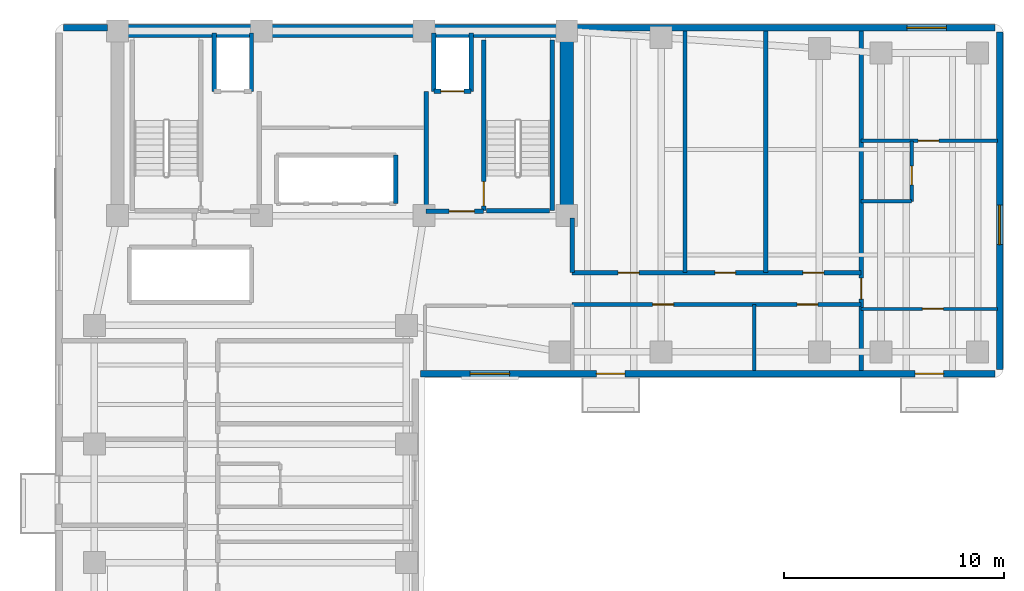
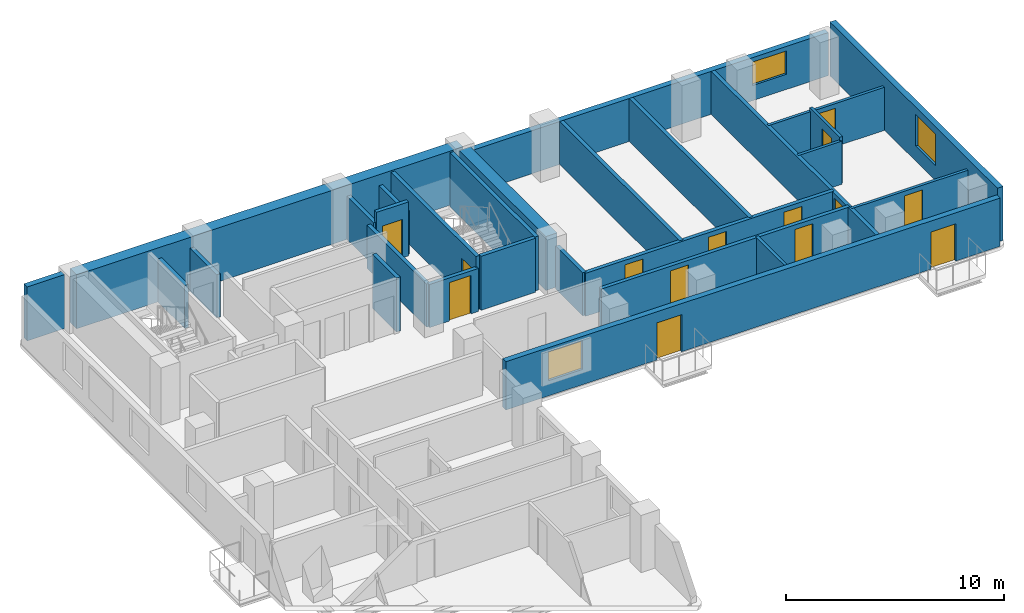
# One storey, part 4 of 7: 28 walls, 14 doors, 3 windows, 17 openings.
"""IFC4 building model written with IfcOpenShell, lengths in metres."""

from ifc_helpers import new_model, si_unit, direction, frame, frame_2d, origin, place, context, subcontext, project, spatial, rectangle, extrude, material, layer, layer_set, type_object, element, fill, save


model = new_model("IFC4")

# Units and contexts
model_context = context("Model", 3, precision=1e-05, world=origin(), true_north=direction((0.0, 1.0)))
body_context = subcontext(model_context, "Body", "Model", "MODEL_VIEW")
ifc_project = project(units=[si_unit("LENGTHUNIT", "METRE"), si_unit("AREAUNIT", "SQUARE_METRE"), si_unit("VOLUMEUNIT", "CUBIC_METRE"), si_unit("PLANEANGLEUNIT", "RADIAN"), si_unit("MASSUNIT", "GRAM", prefix="KILO")], contexts=[model_context])

# Site, building, storey
site_placement = place(None, origin())
site = spatial("IfcSite", under=ifc_project, at=site_placement, CompositionType="ELEMENT")
building_placement = place(site_placement, origin())
building = spatial("IfcBuilding", under=site, at=building_placement, Name="Kuzgunbayir Cultural Tower", CompositionType="ELEMENT")
storey_placement = place(building_placement, frame((0.0, 0.0, 117.0)))
storey = spatial("IfcBuildingStorey", under=building, at=storey_placement, Name="L33", CompositionType="ELEMENT", Elevation=117.0)

# Walls
ifc_material_1 = material(Name="Concrete C60/75", Category="concrete")
ifc_layer_1 = layer(ifc_material_1, 0.60009765625)
ifc_layer_set_1 = layer_set([ifc_layer_1], Name="Concrete C60/75")
wall_type_1 = type_object("IfcWallType", Name="WAL-CORE-600", PredefinedType="SHEAR", material=ifc_layer_set_1)
wall_1_placement = place(storey_placement, frame((6.449951171875, 42.199951171875, 0.0), z_axis=(0.0, 0.0, 1.0), x_axis=(1.0, 0.0, 0.0)))
element("IfcWall", 1, at=wall_1_placement, inside=storey, type_object=wall_type_1, Name="L33 T1 Core North Shear Wall", PredefinedType="SHEAR", context=body_context, shape_type="SweptSolid", body=[
    extrude(rectangle(XDim=20.449951171875, YDim=0.60009765625, at=frame_2d((10.22509765625, 0.0))), origin(), (0.0, 0.0, 1.0), 3.02001953125),
])
wall_2_placement = place(storey_placement, frame((26.89990234375, 33.800048828125, 0.0), z_axis=(0.0, 0.0, 1.0), x_axis=(0.0, 1.0, 0.0)))
element("IfcWall", 2, at=wall_2_placement, inside=storey, type_object=wall_type_1, Name="L33 T1 Core East Shear Wall", PredefinedType="SHEAR", context=body_context, shape_type="SweptSolid", body=[
    extrude(rectangle(XDim=7.949951171875, YDim=0.60009765625, at=frame_2d((3.97509765625, 0.0))), origin(), (0.0, 0.0, 1.0), 3.02001953125),
])

# Wall, opening, window
ifc_material_2 = material(Name="Anatolian Cream Limestone", Category="masonry")
ifc_layer_2 = layer(ifc_material_2, 0.300048828125)
ifc_layer_set_2 = layer_set([ifc_layer_2], Name="Anatolian Cream Limestone")
wall_type_2 = type_object("IfcWallType", Name="WAL-EXT-STONE-300", PredefinedType="STANDARD", material=ifc_layer_set_2)
wall_3_placement = place(storey_placement, frame((46.39990234375, 42.35009765625, 0.0), z_axis=(0.0, 0.0, 1.0), x_axis=(-1.0, 0.0, 0.0)))
wall_3 = element("IfcWall", 3, at=wall_3_placement, inside=storey, type_object=wall_type_2, Name="L33 North Wing B Limestone Wall", PredefinedType="STANDARD", context=body_context, shape_type="SweptSolid", body=[
    extrude(rectangle(XDim=19.0498046875, YDim=0.300048828125, at=frame_2d((9.52490234375, 0.0))), origin(), (0.0, 0.0, 1.0), 2.409912109375),
])
opening_1_placement = place(wall_3_placement, frame((2.219970703125, 0.0, 0.85009765625)))
opening_1 = element("IfcOpeningElement", 4, at=opening_1_placement, cuts=wall_3, Name="Opening WH-18", PredefinedType="OPENING", context=body_context, shape_type="SweptSolid", body=[
    extrude(rectangle(XDim=1.800048828125, YDim=1.31005859375, at=frame_2d((0.89990234375, 0.655029296875))), frame((0.0, 0.16015625, 0.0), z_axis=(0.0, -1.0, 0.0), x_axis=(1.0, 0.0, 0.0)), (0.0, 0.0, 1.0), 0.320068359375),
])
ifc_material_3 = material(Name="Solar-Control Triple Glazing", Category="glass")
window_type = type_object("IfcWindowType", Name="WIN-HOTEL-18", PartitioningType="SINGLE_PANEL", PredefinedType="WINDOW", material=ifc_material_3)
window_1_placement = place(opening_1_placement, origin())
window_1 = element("IfcWindow", 5, at=window_1_placement, inside=storey, type_object=window_type, Name="L33 CRN Facade Window 5", OverallHeight=1.31005859375, OverallWidth=1.800048828125, PartitioningType="SINGLE_PANEL", PredefinedType="WINDOW", context=body_context, shape_type="SweptSolid", body=[
    extrude(rectangle(XDim=1.800048828125, YDim=1.31005859375, at=frame_2d((0.89990234375, 0.655029296875))), frame((0.0, 0.030029296875, 0.0), z_axis=(0.0, -1.0, 0.0), x_axis=(1.0, 0.0, 0.0)), (0.0, 0.0, 1.0), 0.06005859375),
])
fill(opening_1, window_1)

# Wall
wall_4_placement = place(storey_placement, frame((6.0, 42.35009765625, 0.0), z_axis=(0.0, 0.0, 1.0), x_axis=(-1.0, 0.0, 0.0)))
element("IfcWall", 6, at=wall_4_placement, inside=storey, type_object=wall_type_2, Name="L33 Core North-West Spandrel Link", PredefinedType="STANDARD", context=body_context, shape_type="SweptSolid", body=[
    extrude(rectangle(XDim=2.0, YDim=0.300048828125, at=frame_2d((1.0, 0.0))), origin(), (0.0, 0.0, 1.0), 3.02001953125),
])

# Wall, openings, doors, window
wall_5_placement = place(storey_placement, frame((20.25, 26.60009765625, 0.0), z_axis=(0.0, 0.0, 1.0), x_axis=(1.0, 0.0, 0.0)))
wall_5 = element("IfcWall", 7, at=wall_5_placement, inside=storey, type_object=wall_type_2, Name="L33 Wing B South Limestone Wall", PredefinedType="STANDARD", context=body_context, shape_type="SweptSolid", body=[
    extrude(rectangle(XDim=26.14990234375, YDim=0.300048828125, at=frame_2d((13.074951171875, 0.0))), origin(), (0.0, 0.0, 1.0), 2.699951171875),
])
opening_2_placement = place(wall_5_placement, frame((8.0, 0.0, 0.0)))
opening_2 = element("IfcOpeningElement", 8, at=opening_2_placement, cuts=wall_5, Name="Opening BD-13", PredefinedType="OPENING", context=body_context, shape_type="SweptSolid", body=[
    extrude(rectangle(XDim=1.300048828125, YDim=2.080078125, at=frame_2d((0.64990234375, 1.0400390625))), frame((0.0, 0.16015625, 0.0), z_axis=(0.0, -1.0, 0.0), x_axis=(1.0, 0.0, 0.0)), (0.0, 0.0, 1.0), 0.320068359375),
])
opening_3_placement = place(wall_5_placement, frame((22.5, 0.0, 0.0)))
opening_3 = element("IfcOpeningElement", 9, at=opening_3_placement, cuts=wall_5, Name="Opening BD-13", PredefinedType="OPENING", context=body_context, shape_type="SweptSolid", body=[
    extrude(rectangle(XDim=1.300048828125, YDim=2.080078125, at=frame_2d((0.64990234375, 1.0400390625))), frame((0.0, 0.16015625, 0.0), z_axis=(0.0, -1.0, 0.0), x_axis=(1.0, 0.0, 0.0)), (0.0, 0.0, 1.0), 0.320068359375),
])
opening_4_placement = place(wall_5_placement, frame((2.25, 0.0, 0.85009765625)))
opening_4 = element("IfcOpeningElement", 10, at=opening_4_placement, cuts=wall_5, Name="Opening WH-18", PredefinedType="OPENING", context=body_context, shape_type="SweptSolid", body=[
    extrude(rectangle(XDim=1.800048828125, YDim=1.60009765625, at=frame_2d((0.89990234375, 0.800048828125))), frame((0.0, 0.16015625, 0.0), z_axis=(0.0, -1.0, 0.0), x_axis=(1.0, 0.0, 0.0)), (0.0, 0.0, 1.0), 0.320068359375),
])
ifc_material_4 = material(Name="Thermally Broken Glazed Aluminium", Category="aluminium")
door_type_1 = type_object("IfcDoorType", Name="DR-BALCONY-135", OperationType="SLIDING_TO_LEFT", PredefinedType="DOOR", material=ifc_material_4)
door_1_placement = place(opening_2_placement, origin())
door_1 = element("IfcDoor", 11, at=door_1_placement, inside=storey, type_object=door_type_1, Name="L33 South Balcony Sliding Door BAL-L33-WB1", OperationType="SLIDING_TO_LEFT", OverallHeight=2.080078125, OverallWidth=1.300048828125, PredefinedType="DOOR", context=body_context, shape_type="SweptSolid", body=[
    extrude(rectangle(XDim=1.300048828125, YDim=2.080078125, at=frame_2d((0.64990234375, 1.0400390625))), frame((0.0, 0.02490234375, 0.0), z_axis=(0.0, -1.0, 0.0), x_axis=(1.0, 0.0, 0.0)), (0.0, 0.0, 1.0), 0.050048828125),
])
fill(opening_2, door_1)
door_2_placement = place(opening_3_placement, origin())
door_2 = element("IfcDoor", 12, at=door_2_placement, inside=storey, type_object=door_type_1, Name="L33 South Balcony Sliding Door BAL-L33-WB3", OperationType="SLIDING_TO_LEFT", OverallHeight=2.080078125, OverallWidth=1.300048828125, PredefinedType="DOOR", context=body_context, shape_type="SweptSolid", body=[
    extrude(rectangle(XDim=1.300048828125, YDim=2.080078125, at=frame_2d((0.64990234375, 1.0400390625))), frame((0.0, 0.02490234375, 0.0), z_axis=(0.0, -1.0, 0.0), x_axis=(1.0, 0.0, 0.0)), (0.0, 0.0, 1.0), 0.050048828125),
])
fill(opening_3, door_2)
window_2_placement = place(opening_4_placement, origin())
window_2 = element("IfcWindow", 13, at=window_2_placement, inside=storey, type_object=window_type, Name="L33 WBS Facade Window 12", OverallHeight=1.60009765625, OverallWidth=1.800048828125, PartitioningType="SINGLE_PANEL", PredefinedType="WINDOW", context=body_context, shape_type="SweptSolid", body=[
    extrude(rectangle(XDim=1.800048828125, YDim=1.60009765625, at=frame_2d((0.89990234375, 0.800048828125))), frame((0.0, 0.030029296875, 0.0), z_axis=(0.0, -1.0, 0.0), x_axis=(1.0, 0.0, 0.0)), (0.0, 0.0, 1.0), 0.06005859375),
])
fill(opening_4, window_2)

# Wall, opening, window
wall_6_placement = place(storey_placement, frame((46.60009765625, 26.800048828125, 0.0), z_axis=(0.0, 0.0, 1.0), x_axis=(0.0, 1.0, 0.0)))
wall_6 = element("IfcWall", 14, at=wall_6_placement, inside=storey, type_object=wall_type_2, Name="L33 Wing B East Limestone Wall", PredefinedType="STANDARD", context=body_context, shape_type="SweptSolid", body=[
    extrude(rectangle(XDim=15.349853515625, YDim=0.300048828125, at=frame_2d((7.6748046875, 0.0))), origin(), (0.0, 0.0, 1.0), 3.02001953125),
])
opening_5_placement = place(wall_6_placement, frame((5.679931640625, 0.0, 0.85009765625)))
opening_5 = element("IfcOpeningElement", 15, at=opening_5_placement, cuts=wall_6, Name="Opening WH-18", PredefinedType="OPENING", context=body_context, shape_type="SweptSolid", body=[
    extrude(rectangle(XDim=1.800048828125, YDim=1.75, at=frame_2d((0.89990234375, 0.875))), frame((0.0, 0.16015625, 0.0), z_axis=(0.0, -1.0, 0.0), x_axis=(1.0, 0.0, 0.0)), (0.0, 0.0, 1.0), 0.320068359375),
])
window_3_placement = place(opening_5_placement, origin())
window_3 = element("IfcWindow", 16, at=window_3_placement, inside=storey, type_object=window_type, Name="L33 WBE Facade Window 4", OverallHeight=1.75, OverallWidth=1.800048828125, PartitioningType="SINGLE_PANEL", PredefinedType="WINDOW", context=body_context, shape_type="SweptSolid", body=[
    extrude(rectangle(XDim=1.800048828125, YDim=1.75, at=frame_2d((0.89990234375, 0.875))), frame((0.0, 0.030029296875, 0.0), z_axis=(0.0, -1.0, 0.0), x_axis=(1.0, 0.0, 0.0)), (0.0, 0.0, 1.0), 0.06005859375),
])
fill(opening_5, window_3)

# Wall, opening, door
ifc_material_5 = material(Name="Acoustic Double-Stud Drywall", Category="gypsum")
ifc_layer_3 = layer(ifc_material_5, 0.14990234375)
ifc_layer_set_3 = layer_set([ifc_layer_3], Name="Acoustic Double-Stud Drywall")
wall_type_3 = type_object("IfcWallType", Name="WAL-PART-ACOUSTIC-150", PredefinedType="PARTITIONING", material=ifc_layer_set_3)
wall_7_placement = place(storey_placement, frame((40.300048828125, 37.199951171875, 0.0), z_axis=(0.0, 0.0, 1.0), x_axis=(1.0, 0.0, 0.0)))
wall_7 = element("IfcWall", 17, at=wall_7_placement, inside=storey, type_object=wall_type_3, Name="L33 Corner Suite Bedroom Wall", PredefinedType="PARTITIONING", context=body_context, shape_type="SweptSolid", body=[
    extrude(rectangle(XDim=6.199951171875, YDim=0.14990234375, at=frame_2d((3.10009765625, 0.0))), origin(), (0.0, 0.0, 1.0), 2.409912109375),
])
opening_6_placement = place(wall_7_placement, frame((2.590087890625, 0.0, 0.0)))
opening_6 = element("IfcOpeningElement", 18, at=opening_6_placement, cuts=wall_7, Name="Opening DI-90", PredefinedType="OPENING", context=body_context, shape_type="SweptSolid", body=[
    extrude(rectangle(XDim=0.949951171875, YDim=2.14990234375, at=frame_2d((0.47509765625, 1.074951171875))), frame((0.0, 0.0849609375, 0.0), z_axis=(0.0, -1.0, 0.0), x_axis=(1.0, 0.0, 0.0)), (0.0, 0.0, 1.0), 0.169921875),
])
ifc_material_6 = material(Name="Veneered Oak Single Leaf", Category="wood")
door_type_2 = type_object("IfcDoorType", Name="DR-INT-90", OperationType="NOTDEFINED", PredefinedType="DOOR", material=ifc_material_6)
door_3_placement = place(opening_6_placement, origin())
door_3 = element("IfcDoor", 19, at=door_3_placement, inside=storey, type_object=door_type_2, Name="L33 Corner Bedroom Door", OperationType="SINGLE_SWING_RIGHT", OverallHeight=2.14990234375, OverallWidth=0.949951171875, PredefinedType="DOOR", context=body_context, shape_type="SweptSolid", body=[
    extrude(rectangle(XDim=0.949951171875, YDim=2.14990234375, at=frame_2d((0.47509765625, 1.074951171875))), frame((0.0, 0.02490234375, 0.0), z_axis=(0.0, -1.0, 0.0), x_axis=(1.0, 0.0, 0.0)), (0.0, 0.0, 1.0), 0.050048828125),
])
fill(opening_6, door_3)

# Walls
wall_8_placement = place(storey_placement, frame((35.429931640625, 26.75, 0.0), z_axis=(0.0, 0.0, 1.0), x_axis=(0.0, 1.0, 0.0)))
element("IfcWall", 20, at=wall_8_placement, inside=storey, type_object=wall_type_3, Name="L33 Wing B South Divider 1", PredefinedType="PARTITIONING", context=body_context, shape_type="SweptSolid", body=[
    extrude(rectangle(XDim=3.0, YDim=0.14990234375, at=frame_2d((1.5, 0.0))), origin(), (0.0, 0.0, 1.0), 2.409912109375),
])
ifc_material_7 = material(Name="Aerated Concrete Blockwork", Category="masonry")
ifc_layer_4 = layer(ifc_material_7, 0.199951171875)
ifc_layer_set_4 = layer_set([ifc_layer_4], Name="Aerated Concrete Blockwork")
wall_type_4 = type_object("IfcWallType", Name="WAL-PART-FIRE-200", PredefinedType="PARTITIONING", material=ifc_layer_set_4)
wall_9_placement = place(storey_placement, frame((20.5, 34.0, 0.0), z_axis=(0.0, 0.0, 1.0), x_axis=(0.0, 1.0, 0.0)))
element("IfcWall", 21, at=wall_9_placement, inside=storey, type_object=wall_type_4, Name="L33 FFL-2 Lobby West Fire Wall", PredefinedType="PARTITIONING", context=body_context, shape_type="SweptSolid", body=[
    extrude(rectangle(XDim=5.449951171875, YDim=0.199951171875, at=frame_2d((2.72509765625, 0.0))), origin(), (0.0, 0.0, 1.0), 2.409912109375),
])

# Wall, opening, door
wall_10_placement = place(storey_placement, frame((20.5, 34.0, 0.0), z_axis=(0.0, 0.0, 1.0), x_axis=(1.0, 0.0, 0.0)))
wall_10 = element("IfcWall", 22, at=wall_10_placement, inside=storey, type_object=wall_type_4, Name="L33 FFL-2 Lobby South Fire Wall", PredefinedType="PARTITIONING", context=body_context, shape_type="SweptSolid", body=[
    extrude(rectangle(XDim=2.60009765625, YDim=0.199951171875, at=frame_2d((1.300048828125, 0.0))), origin(), (0.0, 0.0, 1.0), 2.409912109375),
])
opening_7_placement = place(wall_10_placement, frame((1.050048828125, 0.0, 0.0)))
opening_7 = element("IfcOpeningElement", 23, at=opening_7_placement, cuts=wall_10, Name="Opening DR-FFL-90", PredefinedType="OPENING", context=body_context, shape_type="SweptSolid", body=[
    extrude(rectangle(XDim=1.14990234375, YDim=2.14990234375, at=frame_2d((0.574951171875, 1.074951171875))), frame((0.0, 0.10986328125, 0.0), z_axis=(0.0, -1.0, 0.0), x_axis=(1.0, 0.0, 0.0)), (0.0, 0.0, 1.0), 0.219970703125),
])
ifc_material_8 = material(Name="Steel S355J2", Category="steel")
door_type_3 = type_object("IfcDoorType", Name="DR-FFL-90", OperationType="NOTDEFINED", PredefinedType="DOOR", material=ifc_material_8)
door_4_placement = place(opening_7_placement, origin())
door_4 = element("IfcDoor", 24, at=door_4_placement, inside=storey, type_object=door_type_3, Name="L33 Firefighting Lobby 2 Door", OperationType="SINGLE_SWING_RIGHT", OverallHeight=2.14990234375, OverallWidth=1.14990234375, PredefinedType="DOOR", context=body_context, shape_type="SweptSolid", body=[
    extrude(rectangle(XDim=1.14990234375, YDim=2.14990234375, at=frame_2d((0.574951171875, 1.074951171875))), frame((0.0, 0.02490234375, 0.0), z_axis=(0.0, -1.0, 0.0), x_axis=(1.0, 0.0, 0.0)), (0.0, 0.0, 1.0), 0.050048828125),
])
fill(opening_7, door_4)

# Wall, openings, doors
wall_11_placement = place(storey_placement, frame((27.14990234375, 29.75, 0.0), z_axis=(0.0, 0.0, 1.0), x_axis=(1.0, 0.0, 0.0)))
wall_11 = element("IfcWall", 25, at=wall_11_placement, inside=storey, type_object=wall_type_4, Name="L33 Wing B Hotel Corridor South Wall", PredefinedType="PARTITIONING", context=body_context, shape_type="SweptSolid", body=[
    extrude(rectangle(XDim=13.150146484375, YDim=0.199951171875, at=frame_2d((6.5751953125, 0.0))), origin(), (0.0, 0.0, 1.0), 2.409912109375),
])
opening_8_placement = place(wall_11_placement, frame((3.659912109375, 0.0, 0.0)))
opening_8 = element("IfcOpeningElement", 26, at=opening_8_placement, cuts=wall_11, Name="Opening DI-90", PredefinedType="OPENING", context=body_context, shape_type="SweptSolid", body=[
    extrude(rectangle(XDim=0.949951171875, YDim=2.14990234375, at=frame_2d((0.47509765625, 1.074951171875))), frame((0.0, 0.10986328125, 0.0), z_axis=(0.0, -1.0, 0.0), x_axis=(1.0, 0.0, 0.0)), (0.0, 0.0, 1.0), 0.219970703125),
])
opening_9_placement = place(wall_11_placement, frame((10.22998046875, 0.0, 0.0)))
opening_9 = element("IfcOpeningElement", 27, at=opening_9_placement, cuts=wall_11, Name="Opening DI-90", PredefinedType="OPENING", context=body_context, shape_type="SweptSolid", body=[
    extrude(rectangle(XDim=0.949951171875, YDim=2.14990234375, at=frame_2d((0.47509765625, 1.074951171875))), frame((0.0, 0.10986328125, 0.0), z_axis=(0.0, -1.0, 0.0), x_axis=(1.0, 0.0, 0.0)), (0.0, 0.0, 1.0), 0.219970703125),
])
door_5_placement = place(opening_8_placement, origin())
door_5 = element("IfcDoor", 28, at=door_5_placement, inside=storey, type_object=door_type_2, Name="L33 Art Publication Salon B1 Door", OperationType="SINGLE_SWING_LEFT", OverallHeight=2.14990234375, OverallWidth=0.949951171875, PredefinedType="DOOR", context=body_context, shape_type="SweptSolid", body=[
    extrude(rectangle(XDim=0.949951171875, YDim=2.14990234375, at=frame_2d((0.47509765625, 1.074951171875))), frame((0.0, 0.02490234375, 0.0), z_axis=(0.0, -1.0, 0.0), x_axis=(1.0, 0.0, 0.0)), (0.0, 0.0, 1.0), 0.050048828125),
])
fill(opening_8, door_5)
door_6_placement = place(opening_9_placement, origin())
door_6 = element("IfcDoor", 29, at=door_6_placement, inside=storey, type_object=door_type_2, Name="L33 Art Publication Salon B2 Door", OperationType="SINGLE_SWING_RIGHT", OverallHeight=2.14990234375, OverallWidth=0.949951171875, PredefinedType="DOOR", context=body_context, shape_type="SweptSolid", body=[
    extrude(rectangle(XDim=0.949951171875, YDim=2.14990234375, at=frame_2d((0.47509765625, 1.074951171875))), frame((0.0, 0.02490234375, 0.0), z_axis=(0.0, -1.0, 0.0), x_axis=(1.0, 0.0, 0.0)), (0.0, 0.0, 1.0), 0.050048828125),
])
fill(opening_9, door_6)

wall_12_placement = place(storey_placement, frame((27.14990234375, 31.199951171875, 0.0), z_axis=(0.0, 0.0, 1.0), x_axis=(1.0, 0.0, 0.0)))
wall_12 = element("IfcWall", 30, at=wall_12_placement, inside=storey, type_object=wall_type_4, Name="L33 Wing B Hotel Corridor North Wall", PredefinedType="PARTITIONING", context=body_context, shape_type="SweptSolid", body=[
    extrude(rectangle(XDim=13.150146484375, YDim=0.199951171875, at=frame_2d((6.5751953125, 0.0))), origin(), (0.0, 0.0, 1.0), 2.409912109375),
])
opening_10_placement = place(wall_12_placement, frame((2.090087890625, 0.0, 0.0)))
opening_10 = element("IfcOpeningElement", 31, at=opening_10_placement, cuts=wall_12, Name="Opening DI-90", PredefinedType="OPENING", context=body_context, shape_type="SweptSolid", body=[
    extrude(rectangle(XDim=0.949951171875, YDim=2.14990234375, at=frame_2d((0.47509765625, 1.074951171875))), frame((0.0, 0.10986328125, 0.0), z_axis=(0.0, -1.0, 0.0), x_axis=(1.0, 0.0, 0.0)), (0.0, 0.0, 1.0), 0.219970703125),
])
opening_11_placement = place(wall_12_placement, frame((6.489990234375, 0.0, 0.0)))
opening_11 = element("IfcOpeningElement", 32, at=opening_11_placement, cuts=wall_12, Name="Opening DI-90", PredefinedType="OPENING", context=body_context, shape_type="SweptSolid", body=[
    extrude(rectangle(XDim=0.949951171875, YDim=2.14990234375, at=frame_2d((0.47509765625, 1.074951171875))), frame((0.0, 0.10986328125, 0.0), z_axis=(0.0, -1.0, 0.0), x_axis=(1.0, 0.0, 0.0)), (0.0, 0.0, 1.0), 0.219970703125),
])
opening_12_placement = place(wall_12_placement, frame((10.5, 0.0, 0.0)))
opening_12 = element("IfcOpeningElement", 33, at=opening_12_placement, cuts=wall_12, Name="Opening DI-90", PredefinedType="OPENING", context=body_context, shape_type="SweptSolid", body=[
    extrude(rectangle(XDim=0.949951171875, YDim=2.14990234375, at=frame_2d((0.47509765625, 1.074951171875))), frame((0.0, 0.10986328125, 0.0), z_axis=(0.0, -1.0, 0.0), x_axis=(1.0, 0.0, 0.0)), (0.0, 0.0, 1.0), 0.219970703125),
])
door_7_placement = place(opening_10_placement, origin())
door_7 = element("IfcDoor", 34, at=door_7_placement, inside=storey, type_object=door_type_2, Name="L33 North Art Publication Salon 1 Door", OperationType="SINGLE_SWING_LEFT", OverallHeight=2.14990234375, OverallWidth=0.949951171875, PredefinedType="DOOR", context=body_context, shape_type="SweptSolid", body=[
    extrude(rectangle(XDim=0.949951171875, YDim=2.14990234375, at=frame_2d((0.47509765625, 1.074951171875))), frame((0.0, 0.02490234375, 0.0), z_axis=(0.0, -1.0, 0.0), x_axis=(1.0, 0.0, 0.0)), (0.0, 0.0, 1.0), 0.050048828125),
])
fill(opening_10, door_7)
door_8_placement = place(opening_11_placement, origin())
door_8 = element("IfcDoor", 35, at=door_8_placement, inside=storey, type_object=door_type_2, Name="L33 North Curatorial Office 2 Door", OperationType="SINGLE_SWING_RIGHT", OverallHeight=2.14990234375, OverallWidth=0.949951171875, PredefinedType="DOOR", context=body_context, shape_type="SweptSolid", body=[
    extrude(rectangle(XDim=0.949951171875, YDim=2.14990234375, at=frame_2d((0.47509765625, 1.074951171875))), frame((0.0, 0.02490234375, 0.0), z_axis=(0.0, -1.0, 0.0), x_axis=(1.0, 0.0, 0.0)), (0.0, 0.0, 1.0), 0.050048828125),
])
fill(opening_11, door_8)
door_9_placement = place(opening_12_placement, origin())
door_9 = element("IfcDoor", 36, at=door_9_placement, inside=storey, type_object=door_type_2, Name="L33 North Seminar Boardroom 3 Door", OperationType="SINGLE_SWING_LEFT", OverallHeight=2.14990234375, OverallWidth=0.949951171875, PredefinedType="DOOR", context=body_context, shape_type="SweptSolid", body=[
    extrude(rectangle(XDim=0.949951171875, YDim=2.14990234375, at=frame_2d((0.47509765625, 1.074951171875))), frame((0.0, 0.02490234375, 0.0), z_axis=(0.0, -1.0, 0.0), x_axis=(1.0, 0.0, 0.0)), (0.0, 0.0, 1.0), 0.050048828125),
])
fill(opening_12, door_9)

# Wall
wall_13_placement = place(storey_placement, frame((27.14990234375, 31.199951171875, 0.0), z_axis=(0.0, 0.0, 1.0), x_axis=(0.0, 1.0, 0.0)))
element("IfcWall", 37, at=wall_13_placement, inside=storey, type_object=wall_type_4, Name="L33 Wing B North Core Closure Wall", PredefinedType="PARTITIONING", context=body_context, shape_type="SweptSolid", body=[
    extrude(rectangle(XDim=2.47998046875, YDim=0.199951171875, at=frame_2d((1.239990234375, 0.0))), origin(), (0.0, 0.0, 1.0), 2.409912109375),
])

# Wall, opening, door
wall_14_placement = place(storey_placement, frame((40.300048828125, 26.75, 0.0), z_axis=(0.0, 0.0, 1.0), x_axis=(0.0, 1.0, 0.0)))
wall_14 = element("IfcWall", 38, at=wall_14_placement, inside=storey, type_object=wall_type_4, Name="L33 Wing B East Suite Wall", PredefinedType="PARTITIONING", context=body_context, shape_type="SweptSolid", body=[
    extrude(rectangle(XDim=15.449951171875, YDim=0.199951171875, at=frame_2d((7.72509765625, 0.0))), origin(), (0.0, 0.0, 1.0), 2.409912109375),
])
opening_13_placement = place(wall_14_placement, frame((3.25, 0.0, 0.0)))
opening_13 = element("IfcOpeningElement", 39, at=opening_13_placement, cuts=wall_14, Name="Opening DR-APT-60", PredefinedType="OPENING", context=body_context, shape_type="SweptSolid", body=[
    extrude(rectangle(XDim=0.949951171875, YDim=2.14990234375, at=frame_2d((0.47509765625, 1.074951171875))), frame((0.0, 0.10986328125, 0.0), z_axis=(0.0, -1.0, 0.0), x_axis=(1.0, 0.0, 0.0)), (0.0, 0.0, 1.0), 0.219970703125),
])
ifc_material_9 = material(Name="Acoustic Fire Timber Leaf", Category="wood")
door_type_4 = type_object("IfcDoorType", Name="DR-APT-60", OperationType="NOTDEFINED", PredefinedType="DOOR", material=ifc_material_9)
door_10_placement = place(opening_13_placement, origin())
door_10 = element("IfcDoor", 40, at=door_10_placement, inside=storey, type_object=door_type_4, Name="L33 Corner Suite Entrance", OperationType="SINGLE_SWING_LEFT", OverallHeight=2.14990234375, OverallWidth=0.949951171875, PredefinedType="DOOR", context=body_context, shape_type="SweptSolid", body=[
    extrude(rectangle(XDim=0.949951171875, YDim=2.14990234375, at=frame_2d((0.47509765625, 1.074951171875))), frame((0.0, 0.02490234375, 0.0), z_axis=(0.0, -1.0, 0.0), x_axis=(1.0, 0.0, 0.0)), (0.0, 0.0, 1.0), 0.050048828125),
])
fill(opening_13, door_10)

# Walls
for number, where, z_axis, x_axis, name in (
    (41, (32.280029296875, 31.199951171875, 0.0), (0.0, 0.0, 1.0), (0.0, 1.0, 0.0), "L33 Wing B North Party Wall 1"),
    (42, (35.9599609375, 31.199951171875, 0.0), (0.0, 0.0, 1.0), (0.0, 1.0, 0.0), "L33 Wing B North Party Wall 2"),
):
    element("IfcWall", number, at=place(storey_placement, frame(where, z_axis=z_axis, x_axis=x_axis)), inside=storey, type_object=wall_type_4, Name=name, PredefinedType="PARTITIONING", context=body_context, shape_type="SweptSolid", body=[
        extrude(rectangle(XDim=11.0, YDim=0.199951171875, at=frame_2d((5.5, 0.0))), origin(), (0.0, 0.0, 1.0), 2.409912109375),
    ])

# Wall, opening, door
ifc_material_10 = material(Name="Moisture-Resistant Tile Partition", Category="gypsum")
ifc_layer_5 = layer(ifc_material_10, 0.14990234375)
ifc_layer_set_5 = layer_set([ifc_layer_5], Name="Moisture-Resistant Tile Partition")
wall_type_5 = type_object("IfcWallType", Name="WAL-PART-WET-150", PredefinedType="PARTITIONING", material=ifc_layer_set_5)
wall_15_placement = place(storey_placement, frame((40.300048828125, 29.550048828125, 0.0), z_axis=(0.0, 0.0, 1.0), x_axis=(1.0, 0.0, 0.0)))
wall_15 = element("IfcWall", 43, at=wall_15_placement, inside=storey, type_object=wall_type_5, Name="L33 Corner Suite Kitchen Wall", PredefinedType="PARTITIONING", context=body_context, shape_type="SweptSolid", body=[
    extrude(rectangle(XDim=6.199951171875, YDim=0.14990234375, at=frame_2d((3.10009765625, 0.0))), origin(), (0.0, 0.0, 1.0), 2.409912109375),
])
opening_14_placement = place(wall_15_placement, frame((2.7900390625, 0.0, 0.0)))
opening_14 = element("IfcOpeningElement", 44, at=opening_14_placement, cuts=wall_15, Name="Opening DI-90", PredefinedType="OPENING", context=body_context, shape_type="SweptSolid", body=[
    extrude(rectangle(XDim=0.949951171875, YDim=2.14990234375, at=frame_2d((0.47509765625, 1.074951171875))), frame((0.0, 0.0849609375, 0.0), z_axis=(0.0, -1.0, 0.0), x_axis=(1.0, 0.0, 0.0)), (0.0, 0.0, 1.0), 0.169921875),
])
door_11_placement = place(opening_14_placement, origin())
door_11 = element("IfcDoor", 45, at=door_11_placement, inside=storey, type_object=door_type_2, Name="L33 Corner Suite Kitchen Door", OperationType="SINGLE_SWING_RIGHT", OverallHeight=2.14990234375, OverallWidth=0.949951171875, PredefinedType="DOOR", context=body_context, shape_type="SweptSolid", body=[
    extrude(rectangle(XDim=0.949951171875, YDim=2.14990234375, at=frame_2d((0.47509765625, 1.074951171875))), frame((0.0, 0.02490234375, 0.0), z_axis=(0.0, -1.0, 0.0), x_axis=(1.0, 0.0, 0.0)), (0.0, 0.0, 1.0), 0.050048828125),
])
fill(opening_14, door_11)

# Wall
wall_16_placement = place(storey_placement, frame((40.300048828125, 34.449951171875, 0.0), z_axis=(0.0, 0.0, 1.0), x_axis=(1.0, 0.0, 0.0)))
element("IfcWall", 46, at=wall_16_placement, inside=storey, type_object=wall_type_5, Name="L33 Corner Suite Bath South Wall", PredefinedType="PARTITIONING", context=body_context, shape_type="SweptSolid", body=[
    extrude(rectangle(XDim=2.300048828125, YDim=0.14990234375, at=frame_2d((1.14990234375, 0.0))), origin(), (0.0, 0.0, 1.0), 2.409912109375),
])

# Wall, opening, door
wall_17_placement = place(storey_placement, frame((42.60009765625, 34.449951171875, 0.0), z_axis=(0.0, 0.0, 1.0), x_axis=(0.0, 1.0, 0.0)))
wall_17 = element("IfcWall", 47, at=wall_17_placement, inside=storey, type_object=wall_type_5, Name="L33 Corner Suite Bath East Wall", PredefinedType="PARTITIONING", context=body_context, shape_type="SweptSolid", body=[
    extrude(rectangle(XDim=2.75, YDim=0.14990234375, at=frame_2d((1.375, 0.0))), origin(), (0.0, 0.0, 1.0), 2.60009765625),
])
opening_15_placement = place(wall_17_placement, frame((0.75, 0.0, 0.0)))
opening_15 = element("IfcOpeningElement", 48, at=opening_15_placement, cuts=wall_17, Name="Opening DW-85", PredefinedType="OPENING", context=body_context, shape_type="SweptSolid", body=[
    extrude(rectangle(XDim=0.85009765625, YDim=2.10009765625, at=frame_2d((0.425048828125, 1.050048828125))), frame((0.0, 0.0849609375, 0.0), z_axis=(0.0, -1.0, 0.0), x_axis=(1.0, 0.0, 0.0)), (0.0, 0.0, 1.0), 0.169921875),
])
ifc_material_11 = material(Name="Laminate Moisture-Resistant Leaf", Category="wood")
door_type_5 = type_object("IfcDoorType", Name="DR-WET-85", OperationType="NOTDEFINED", PredefinedType="DOOR", material=ifc_material_11)
door_12_placement = place(opening_15_placement, origin())
door_12 = element("IfcDoor", 49, at=door_12_placement, inside=storey, type_object=door_type_5, Name="L33 Corner Suite Bathroom Door", OperationType="SINGLE_SWING_LEFT", OverallHeight=2.10009765625, OverallWidth=0.85009765625, PredefinedType="DOOR", context=body_context, shape_type="SweptSolid", body=[
    extrude(rectangle(XDim=0.85009765625, YDim=2.10009765625, at=frame_2d((0.425048828125, 1.050048828125))), frame((0.0, 0.02490234375, 0.0), z_axis=(0.0, -1.0, 0.0), x_axis=(1.0, 0.0, 0.0)), (0.0, 0.0, 1.0), 0.050048828125),
])
fill(opening_15, door_12)

ifc_material_12 = material(Name="Concrete C40/50", Category="concrete")
ifc_layer_6 = layer(ifc_material_12, 0.199951171875)
ifc_layer_set_6 = layer_set([ifc_layer_6], Name="Concrete C40/50")
wall_type_6 = type_object("IfcWallType", Name="WAL-SHAFT-200", PredefinedType="MOVABLE", material=ifc_layer_set_6)
wall_18_placement = place(storey_placement, frame((20.85009765625, 39.449951171875, 0.0), z_axis=(0.0, 0.0, 1.0), x_axis=(1.0, 0.0, 0.0)))
wall_18 = element("IfcWall", 50, at=wall_18_placement, inside=storey, type_object=wall_type_6, Name="L33 FFL-2 Lift Front Wall", PredefinedType="MOVABLE", context=body_context, shape_type="SweptSolid", body=[
    extrude(rectangle(XDim=1.699951171875, YDim=0.199951171875, at=frame_2d((0.85009765625, 0.0))), origin(), (0.0, 0.0, 1.0), 3.02001953125),
])
opening_16_placement = place(wall_18_placement, frame((0.320068359375, 0.0, 0.0)))
opening_16 = element("IfcOpeningElement", 51, at=opening_16_placement, cuts=wall_18, Name="Opening LD", PredefinedType="OPENING", context=body_context, shape_type="SweptSolid", body=[
    extrude(rectangle(XDim=1.050048828125, YDim=2.14990234375, at=frame_2d((0.52490234375, 1.074951171875))), frame((0.0, 0.10986328125, 0.0), z_axis=(0.0, -1.0, 0.0), x_axis=(1.0, 0.0, 0.0)), (0.0, 0.0, 1.0), 0.219970703125),
])
ifc_material_13 = material(Name="Brushed Stainless Steel", Category="steel")
door_type_6 = type_object("IfcDoorType", Name="DR-LIFT-LANDING", OperationType="SLIDING_TO_LEFT", PredefinedType="DOOR", material=ifc_material_13)
door_13_placement = place(opening_16_placement, origin())
door_13 = element("IfcDoor", 52, at=door_13_placement, inside=storey, type_object=door_type_6, Name="L33 Lift FFL-2 Landing Door", OperationType="SLIDING_TO_LEFT", OverallHeight=2.14990234375, OverallWidth=1.050048828125, PredefinedType="DOOR", context=body_context, shape_type="SweptSolid", body=[
    extrude(rectangle(XDim=1.050048828125, YDim=2.14990234375, at=frame_2d((0.52490234375, 1.074951171875))), frame((0.0, 0.02490234375, 0.0), z_axis=(0.0, -1.0, 0.0), x_axis=(1.0, 0.0, 0.0)), (0.0, 0.0, 1.0), 0.050048828125),
])
fill(opening_16, door_13)

# Walls
for number, where, z_axis, x_axis, name in (
    (53, (10.85009765625, 39.449951171875, 0.0), (0.0, 0.0, 1.0), (0.0, 1.0, 0.0), "L33 FFL-1 Shaft West Wall"),
    (54, (12.550048828125, 39.449951171875, 0.0), (0.0, 0.0, 1.0), (0.0, 1.0, 0.0), "L33 FFL-1 Shaft East Wall"),
    (55, (20.85009765625, 39.449951171875, 0.0), (0.0, 0.0, 1.0), (0.0, 1.0, 0.0), "L33 FFL-2 Shaft West Wall"),
    (56, (22.550048828125, 39.449951171875, 0.0), (0.0, 0.0, 1.0), (0.0, 1.0, 0.0), "L33 FFL-2 Shaft East Wall"),
):
    element("IfcWall", number, at=place(storey_placement, frame(where, z_axis=z_axis, x_axis=x_axis)), inside=storey, type_object=wall_type_6, Name=name, PredefinedType="MOVABLE", context=body_context, shape_type="SweptSolid", body=[
        extrude(rectangle(XDim=2.650146484375, YDim=0.199951171875, at=frame_2d((1.3251953125, 0.0))), origin(), (0.0, 0.0, 1.0), 2.409912109375),
    ])
wall_19_placement = place(storey_placement, frame((19.1201171875, 34.35009765625, 0.0), z_axis=(0.0, 0.0, 1.0), x_axis=(0.0, 1.0, 0.0)))
element("IfcWall", 57, at=wall_19_placement, inside=storey, type_object=wall_type_6, Name="L33 Mid-Rise Lift Shaft East Wall", PredefinedType="MOVABLE", context=body_context, shape_type="SweptSolid", body=[
    extrude(rectangle(XDim=2.199951171875, YDim=0.199951171875, at=frame_2d((1.10009765625, 0.0))), origin(), (0.0, 0.0, 1.0), 3.02001953125),
])

# Wall, opening, door
ifc_layer_7 = layer(ifc_material_12, 0.199951171875)
ifc_layer_set_7 = layer_set([ifc_layer_7], Name="Concrete C40/50")
wall_type_7 = type_object("IfcWallType", Name="WAL-STAIR-RC-200", PredefinedType="SHEAR", material=ifc_layer_set_7)
wall_20_placement = place(storey_placement, frame((23.1201171875, 34.02001953125, 0.0), z_axis=(0.0, 0.0, 1.0), x_axis=(0.0, 1.0, 0.0)))
wall_20 = element("IfcWall", 58, at=wall_20_placement, inside=storey, type_object=wall_type_7, Name="L33 Stair ST-2 West Structural Wall", PredefinedType="SHEAR", context=body_context, shape_type="SweptSolid", body=[
    extrude(rectangle(XDim=7.780029296875, YDim=0.199951171875, at=frame_2d((3.89013671875, 0.0))), origin(), (0.0, 0.0, 1.0), 3.02001953125),
])
opening_17_placement = place(wall_20_placement, frame((0.219970703125, 0.0, 0.0)))
opening_17 = element("IfcOpeningElement", 59, at=opening_17_placement, cuts=wall_20, Name="Opening DR-STAIR-90", PredefinedType="OPENING", context=body_context, shape_type="SweptSolid", body=[
    extrude(rectangle(XDim=1.10009765625, YDim=2.14990234375, at=frame_2d((0.550048828125, 1.074951171875))), frame((0.0, 0.10986328125, 0.0), z_axis=(0.0, -1.0, 0.0), x_axis=(1.0, 0.0, 0.0)), (0.0, 0.0, 1.0), 0.219970703125),
])
door_type_7 = type_object("IfcDoorType", Name="DR-STAIR-90", OperationType="NOTDEFINED", PredefinedType="DOOR", material=ifc_material_8)
door_14_placement = place(opening_17_placement, origin())
door_14 = element("IfcDoor", 60, at=door_14_placement, inside=storey, type_object=door_type_7, Name="L33 Stair ST-2 Fire Door", OperationType="SINGLE_SWING_LEFT", OverallHeight=2.14990234375, OverallWidth=1.10009765625, PredefinedType="DOOR", context=body_context, shape_type="SweptSolid", body=[
    extrude(rectangle(XDim=1.10009765625, YDim=2.14990234375, at=frame_2d((0.550048828125, 1.074951171875))), frame((0.0, 0.02490234375, 0.0), z_axis=(0.0, -1.0, 0.0), x_axis=(1.0, 0.0, 0.0)), (0.0, 0.0, 1.0), 0.050048828125),
])
fill(opening_17, door_14)

# Walls
wall_21_placement = place(storey_placement, frame((26.239990234375, 34.02001953125, 0.0), z_axis=(0.0, 0.0, 1.0), x_axis=(0.0, 1.0, 0.0)))
element("IfcWall", 61, at=wall_21_placement, inside=storey, type_object=wall_type_7, Name="L33 Stair ST-2 East Structural Wall", PredefinedType="SHEAR", context=body_context, shape_type="SweptSolid", body=[
    extrude(rectangle(XDim=7.780029296875, YDim=0.199951171875, at=frame_2d((3.89013671875, 0.0))), origin(), (0.0, 0.0, 1.0), 3.02001953125),
])
wall_22_placement = place(storey_placement, frame((23.239990234375, 34.02001953125, 0.0), z_axis=(0.0, 0.0, 1.0), x_axis=(1.0, 0.0, 0.0)))
element("IfcWall", 62, at=wall_22_placement, inside=storey, type_object=wall_type_7, Name="L33 Stair ST-2 South Structural Wall", PredefinedType="SHEAR", context=body_context, shape_type="SweptSolid", body=[
    extrude(rectangle(XDim=2.880126953125, YDim=0.199951171875, at=frame_2d((1.43994140625, 0.0))), origin(), (0.0, 0.0, 1.0), 3.02001953125),
])

save(model, "model.ifc")
